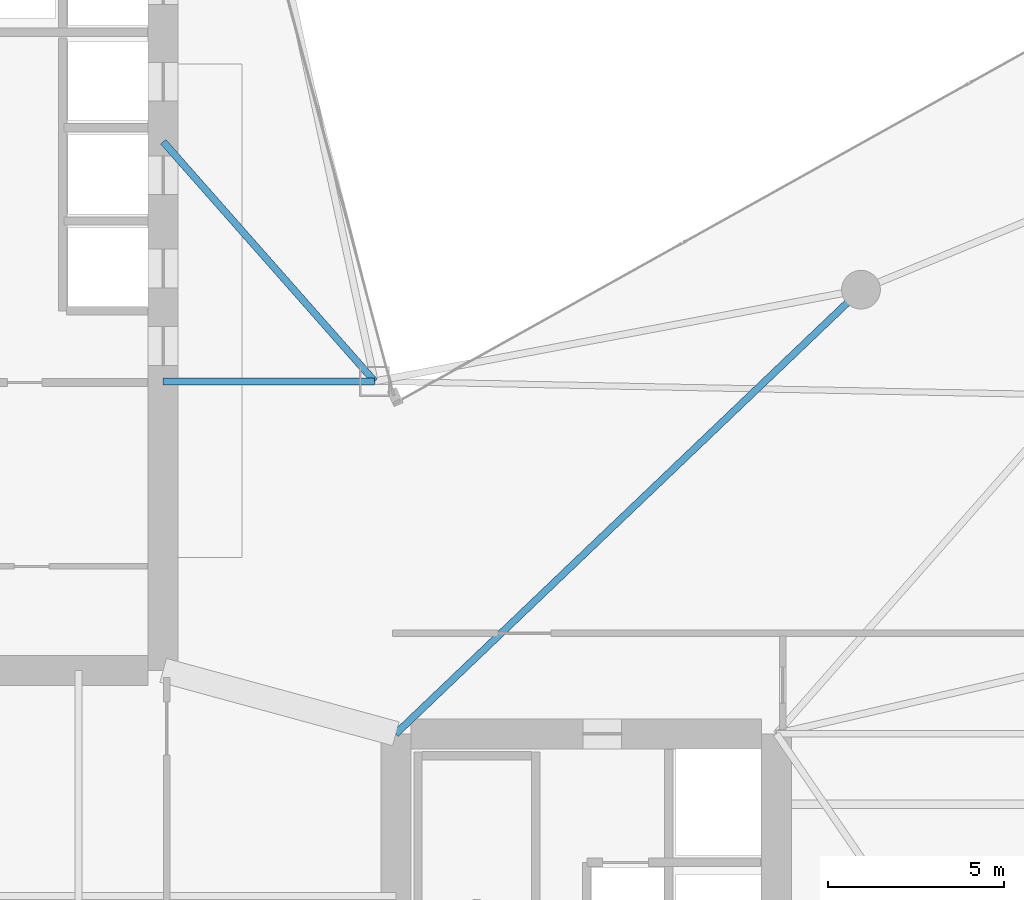
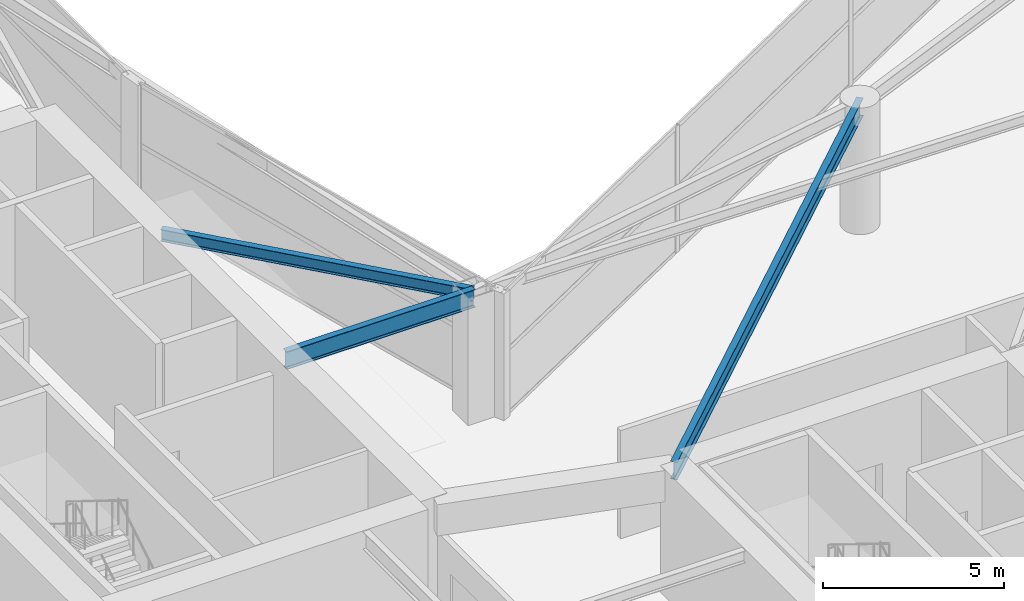
# One storey, part 8 of 26: 3 beams.
"""IFC4 building model written with IfcOpenShell, lengths in metres."""

from ifc_helpers import new_model, si_unit, direction, frame, origin, origin_2d, place, context, subcontext, project, spatial, i_section, extrude, material, material_profile, profile_set, type_object, element, save


model = new_model("IFC4")

# Units and contexts
model_context = context("Model", 3, precision=1e-05, world=origin(), true_north=direction((0.0, 1.0)))
body_context = subcontext(model_context, "Body", "Model", "MODEL_VIEW")
ifc_project = project(units=[si_unit("LENGTHUNIT", "METRE"), si_unit("AREAUNIT", "SQUARE_METRE"), si_unit("VOLUMEUNIT", "CUBIC_METRE"), si_unit("PLANEANGLEUNIT", "RADIAN"), si_unit("MASSUNIT", "GRAM", prefix="KILO")], contexts=[model_context])

# Site, building, storey
site_placement = place(None, origin())
site = spatial("IfcSite", under=ifc_project, at=site_placement, CompositionType="ELEMENT")
building_placement = place(site_placement, origin())
building = spatial("IfcBuilding", under=site, at=building_placement, Name="Calvorn Quay Hotel", CompositionType="ELEMENT")
storey_placement = place(building_placement, frame((0.0, 0.0, 144.0)))
storey = spatial("IfcBuildingStorey", under=building, at=storey_placement, Name="L35", CompositionType="ELEMENT", Elevation=144.0)

# Beams
ifc_material_1 = material(Name="Steel Q355B", Category="steel")
ifc_material_profile_1 = material_profile(ifc_material_1, i_section(OverallWidth=0.199951171875, OverallDepth=0.60009765625, WebThickness=0.010986328125, FlangeThickness=0.01708984375, FilletRadius=0.01806640625, at=origin_2d()), Name="HN600x200x11x17")
ifc_profile_set_1 = profile_set([ifc_material_profile_1], Name="Steel Q355B")
beam_type_1 = type_object("IfcBeamType", Name="BM-GIRD-TYP", PredefinedType="BEAM", material=ifc_profile_set_1)
beam_1_placement = place(storey_placement, frame((21.0, 25.0, 3.93994140625), z_axis=(-1.0, 0.0, 0.0), x_axis=(0.0, -1.0, 0.0)))
element("IfcBeam", 1, at=beam_1_placement, inside=storey, type_object=beam_type_1, Name="Beam BG-L35-W7", PredefinedType="BEAM", context=body_context, shape_type="SweptSolid", body=[
    extrude(i_section(OverallWidth=0.199951171875, OverallDepth=0.60009765625, WebThickness=0.010986328125, FlangeThickness=0.01708984375, FilletRadius=0.01806640625, at=origin_2d()), origin(), (0.0, 0.0, 1.0), 6.0),
])
beam_2_placement = place(storey_placement, frame((21.60009765625, 15.0, 3.93994140625), z_axis=(0.723351595578, 0.690479883252, 0.0), x_axis=(-0.690479883252, 0.723351595578, 0.0)))
element("IfcBeam", 2, at=beam_2_placement, inside=storey, type_object=beam_type_1, Name="Beam BG-L35-E4", PredefinedType="BEAM", context=body_context, shape_type="SweptSolid", body=[
    extrude(i_section(OverallWidth=0.199951171875, OverallDepth=0.60009765625, WebThickness=0.010986328125, FlangeThickness=0.01708984375, FilletRadius=0.01806640625, at=origin_2d()), origin(), (0.0, 0.0, 1.0), 18.248291015625),
])
ifc_material_2 = material(Name="Steel Q355B", Category="steel")
ifc_material_profile_2 = material_profile(ifc_material_2, i_section(OverallWidth=0.199951171875, OverallDepth=0.39990234375, WebThickness=0.008056640625, FlangeThickness=0.012939453125, FilletRadius=0.01611328125, at=origin_2d()), Name="HN400x200x8x13")
ifc_profile_set_2 = profile_set([ifc_material_profile_2], Name="Steel Q355B")
beam_type_2 = type_object("IfcBeamType", Name="BM-JOIST-TYP", PredefinedType="JOIST", material=ifc_profile_set_2)
beam_3_placement = place(storey_placement, frame((15.0, 31.800048828125, 4.0400390625), z_axis=(0.661618965899, -0.749840212287, 0.0), x_axis=(0.749840212287, 0.661618965899, 0.0)))
element("IfcBeam", 3, at=beam_3_placement, inside=storey, type_object=beam_type_2, Name="Beam BJ-L35-C1", PredefinedType="JOIST", context=body_context, shape_type="SweptSolid", body=[
    extrude(i_section(OverallWidth=0.199951171875, OverallDepth=0.39990234375, WebThickness=0.008056640625, FlangeThickness=0.012939453125, FilletRadius=0.01611328125, at=origin_2d()), origin(), (0.0, 0.0, 1.0), 9.068603515625),
])

save(model, "model.ifc")
